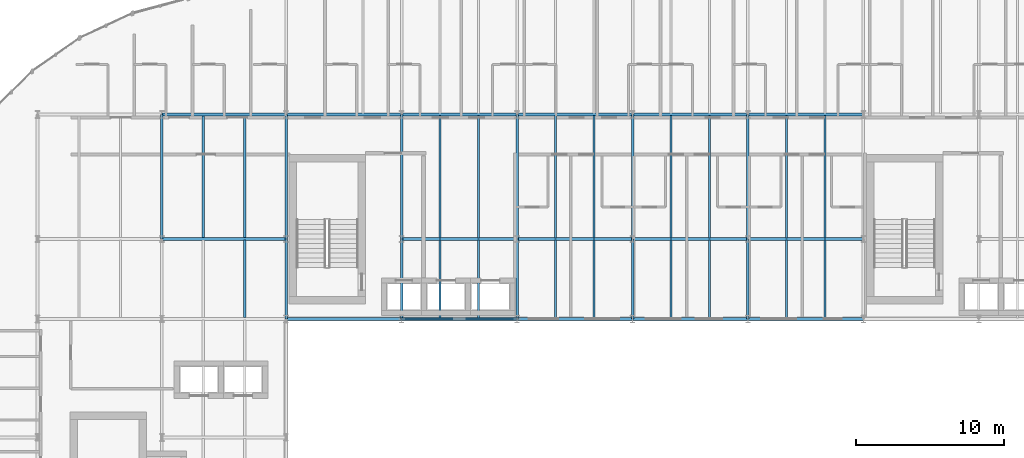
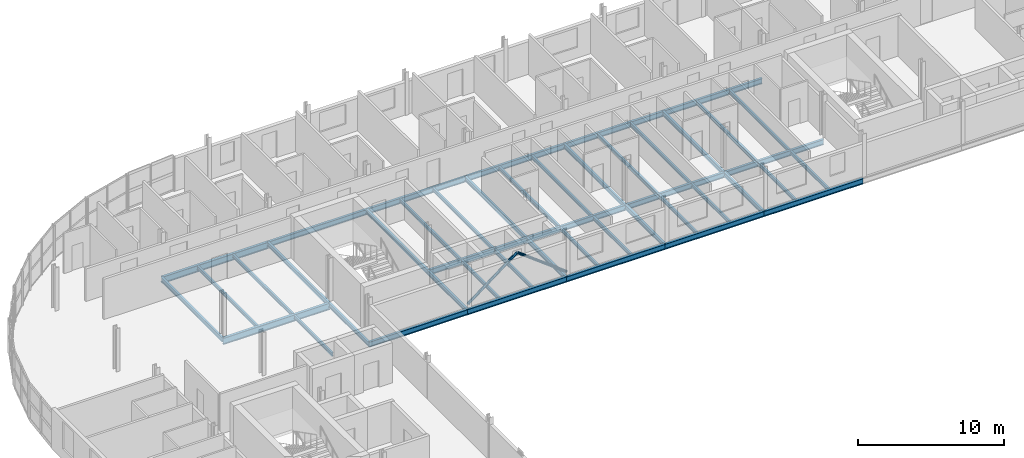
# One storey, part 9 of 34: 46 beams, 2 members.
"""IFC4 building model written with IfcOpenShell, lengths in metres."""

import ifcopenshell
import ifcopenshell.guid

model = None  # the IFC model being written
_history = None  # IfcOwnerHistory: only IFC2X3 demands one
_inside = {}  # id of a spatial element -> (the spatial element, [elements in it])
_under = {}  # id of a project, library or spatial element -> (it, [spatial elements below it])
_declared = {}  # id of a project -> (the project, [libraries it declares])
_typed = {}  # id of a type object -> (the type object, [elements of that type])
_made_of = {}  # id of a material, layer set ... -> (it, [elements and type objects made of it])


def new_model(schema):
    """Start an empty IFC model of exactly this schema.

    Asked for "IFC4X3", IfcOpenShell would pick the latest addendum, in which some entities
    have other attributes; the version numbers below select the first issue.
    IFC2X3 requires an IfcOwnerHistory on every rooted entity: one is made here for all.
    """
    global model, _history
    if schema == "IFC4X3":
        model = ifcopenshell.file(schema_version=(4, 3, 0, 0))
    else:
        model = ifcopenshell.file(schema=schema)
    _inside.clear()
    _under.clear()
    _declared.clear()
    _typed.clear()
    _made_of.clear()
    _history = None
    if model.schema == "IFC2X3":
        org = make("IfcOrganization", Name="unknown")
        user = make(
            "IfcPersonAndOrganization",
            ThePerson=make("IfcPerson", FamilyName="unknown"),
            TheOrganization=org,
        )
        app = make(
            "IfcApplication",
            ApplicationDeveloper=org,
            Version="unknown",
            ApplicationFullName="unknown",
            ApplicationIdentifier="unknown",
        )
        _history = make(
            "IfcOwnerHistory",
            OwningUser=user,
            OwningApplication=app,
            ChangeAction="ADDED",
            CreationDate=0,
        )
    return model


def make(cls, **values):
    """One entity of the class cls with the attributes given. An attribute that is None is left unset."""
    return model.create_entity(
        cls, **{name: value for name, value in values.items() if value is not None}
    )


def rooted(cls, **values):
    """An entity with a GlobalId (a new one), such as an element, a storey or a relation."""
    return make(cls, GlobalId=ifcopenshell.guid.new(), OwnerHistory=_history, **values)


def si_unit(unit_type, name, prefix=None):
    """IfcSIUnit, for example si_unit("LENGTHUNIT", "METRE", prefix="MILLI")."""
    return make("IfcSIUnit", UnitType=unit_type, Prefix=prefix, Name=name)


def assignment(units):
    """IfcUnitAssignment: the units of a project."""
    return None if units is None else make("IfcUnitAssignment", Units=units)


def point(xyz):
    """IfcCartesianPoint."""
    return None if xyz is None else make("IfcCartesianPoint", Coordinates=xyz)


def direction(xyz):
    """IfcDirection."""
    return None if xyz is None else make("IfcDirection", DirectionRatios=xyz)


def frame(location, z_axis=None, x_axis=None):
    """IfcAxis2Placement3D, a coordinate frame: its origin and axes. An axis left out is left unset."""
    return make(
        "IfcAxis2Placement3D",
        Location=point(location),
        Axis=direction(z_axis),
        RefDirection=direction(x_axis),
    )


def frame_2d(location, x_axis=None):
    """IfcAxis2Placement2D, a coordinate frame in the plane: its origin and x axis."""
    return make(
        "IfcAxis2Placement2D", Location=point(location), RefDirection=direction(x_axis)
    )


def origin():
    """The frame at (0, 0, 0) with its axes left unset."""
    return frame((0.0, 0.0, 0.0))


def origin_2d():
    """The frame at (0, 0) in the plane with its x axis left unset."""
    return frame_2d((0.0, 0.0))


def place(relative_to, where):
    """IfcLocalPlacement: puts the frame where relative to a parent placement (None: the world)."""
    return make(
        "IfcLocalPlacement", PlacementRelTo=relative_to, RelativePlacement=where
    )


def context(
    kind, dimensions, precision=None, world=None, true_north=None, identifier=None
):
    """IfcGeometricRepresentationContext, for example the 3D "Model" context."""
    return make(
        "IfcGeometricRepresentationContext",
        ContextIdentifier=identifier,
        ContextType=kind,
        CoordinateSpaceDimension=dimensions,
        Precision=precision,
        WorldCoordinateSystem=world,
        TrueNorth=true_north,
    )


def subcontext(parent, identifier, kind, view, scale=None):
    """IfcGeometricRepresentationSubContext, for example "Body" below "Model"."""
    return make(
        "IfcGeometricRepresentationSubContext",
        ContextIdentifier=identifier,
        ContextType=kind,
        ParentContext=parent,
        TargetScale=scale,
        TargetView=view,
    )


def project(units=None, contexts=None):
    """IfcProject with its units and contexts."""
    return rooted(
        "IfcProject",
        Name="project",
        RepresentationContexts=contexts,
        UnitsInContext=assignment(units),
    )


def spatial(cls, under=None, at=None, **own):
    """A site, building, storey or space (cls), placed at a placement, below another one or the project."""
    s = rooted(cls, ObjectPlacement=at, **own)
    if under is not None:
        _under.setdefault(under.id(), (under, []))[1].append(s)
    return s


def profile(cls, at=None, kind="AREA", **sizes):
    """A parametric profile (cls). Its sizes go by their IFC names, for example OverallWidth=200.0."""
    return make(cls, ProfileType=kind, Position=at, **sizes)


def hollow_circle(**sizes):
    """IfcCircleHollowProfileDef."""
    return profile("IfcCircleHollowProfileDef", **sizes)


def i_section(**sizes):
    """IfcIShapeProfileDef."""
    return profile("IfcIShapeProfileDef", **sizes)


def extrude(swept, where, along, depth):
    """IfcExtrudedAreaSolid: the profile swept, set in the frame where, extruded along a direction by depth."""
    return make(
        "IfcExtrudedAreaSolid",
        SweptArea=swept,
        Position=where,
        ExtrudedDirection=direction(along),
        Depth=depth,
    )


def shape(context_of_items, identifier, shape_type, items):
    """IfcShapeRepresentation: the items that make up one representation, for example the "Body"."""
    return make(
        "IfcShapeRepresentation",
        ContextOfItems=context_of_items,
        RepresentationIdentifier=identifier,
        RepresentationType=shape_type,
        Items=items,
    )


def material(Name=None, Category=None):
    """IfcMaterial."""
    return make("IfcMaterial", Name=Name, Category=Category)


def material_profile(
    of_material, cross_section, Name=None, Category=None, Priority=None
):
    """IfcMaterialProfile: a cross section and its material."""
    return make(
        "IfcMaterialProfile",
        Name=Name,
        Material=of_material,
        Profile=cross_section,
        Priority=Priority,
        Category=Category,
    )


def profile_set(profiles, Name=None, composite=None):
    """IfcMaterialProfileSet."""
    return make(
        "IfcMaterialProfileSet",
        Name=Name,
        MaterialProfiles=profiles,
        CompositeProfile=composite,
    )


def made_of(thing, what):
    """Note that an element or type object is made of a material, layer set ...; save() writes the relation."""
    if what is not None:
        _made_of.setdefault(what.id(), (what, []))[1].append(thing)
    return thing


def type_object(cls, material=None, **own):
    """A type object (cls), such as IfcWallType, which elements share."""
    return made_of(rooted(cls, **own), material)


def element(
    cls,
    number,
    at=None,
    inside=None,
    cuts=None,
    type_object=None,
    material=None,
    context=None,
    identifier="Body",
    shape_type=None,
    held_by="IfcProductDefinitionShape",
    body=None,
    shapes=None,
    **own,
):
    """One element of the class cls, such as IfcWall. Its Tag is "e" and its number.

    at: its placement. inside: the storey or other place that contains it. cuts: it is an
    opening in that element (IfcRelVoidsElement). A single representation is given by context,
    identifier, shape_type and body (its items); several are given by shapes. held_by: the class
    of the entity that holds the representations. save() writes the other relations.
    """
    e = rooted(cls, Tag="e%d" % number, ObjectPlacement=at, **own)
    if body is not None:
        shapes = [shape(context, identifier, shape_type, body)]
    if shapes is not None:
        e.Representation = make(held_by, Representations=shapes)
    if inside is not None:
        _inside.setdefault(inside.id(), (inside, []))[1].append(e)
    if cuts is not None:
        rooted(
            "IfcRelVoidsElement", RelatingBuildingElement=cuts, RelatedOpeningElement=e
        )
    if type_object is not None:
        _typed.setdefault(type_object.id(), (type_object, []))[1].append(e)
    return made_of(e, material)


def aggregate(whole, parts):
    """IfcRelAggregates: a whole, such as a stair, and the parts it consists of."""
    return rooted("IfcRelAggregates", RelatingObject=whole, RelatedObjects=parts)


def save(model, path):
    """Write the relations noted so far, then the file.

    IfcRelAggregates (storeys below a building ...), IfcRelContainedInSpatialStructure (elements
    in a storey), IfcRelDefinesByType, IfcRelAssociatesMaterial and IfcRelDeclares: one each for
    every whole, place, type object, material and project.
    """
    for whole, parts in _under.values():
        aggregate(whole, parts)
    for where, things in _inside.values():
        rooted(
            "IfcRelContainedInSpatialStructure",
            RelatedElements=things,
            RelatingStructure=where,
        )
    for kind, things in _typed.values():
        rooted("IfcRelDefinesByType", RelatedObjects=things, RelatingType=kind)
    for what, things in _made_of.values():
        rooted("IfcRelAssociatesMaterial", RelatedObjects=things, RelatingMaterial=what)
    for by, libraries in _declared.values():
        rooted("IfcRelDeclares", RelatingContext=by, RelatedDefinitions=libraries)
    model.write(path)


model = new_model("IFC4")

# Units and contexts
model_context = context("Model", 3, precision=1e-05, world=origin(), true_north=direction((0.0, 1.0)))
body_context = subcontext(model_context, "Body", "Model", "MODEL_VIEW")
ifc_project = project(units=[si_unit("LENGTHUNIT", "METRE"), si_unit("AREAUNIT", "SQUARE_METRE"), si_unit("VOLUMEUNIT", "CUBIC_METRE"), si_unit("PLANEANGLEUNIT", "RADIAN"), si_unit("MASSUNIT", "GRAM", prefix="KILO")], contexts=[model_context])

# Site, building, storey
site_placement = place(None, origin())
site = spatial("IfcSite", under=ifc_project, at=site_placement, CompositionType="ELEMENT")
building_placement = place(site_placement, origin())
building = spatial("IfcBuilding", under=site, at=building_placement, Name="Sefraquen Railside Congress Hotel", CompositionType="ELEMENT")
storey_placement = place(building_placement, frame((0.0, 0.0, 31.800048828125)))
storey = spatial("IfcBuildingStorey", under=building, at=storey_placement, Name="L07", CompositionType="ELEMENT", Elevation=31.800048828125)

# Beams
ifc_material_1 = material(Name="Steel S355JR", Category="steel")
ifc_material_profile_1 = material_profile(ifc_material_1, i_section(OverallWidth=0.169921875, OverallDepth=0.360107421875, WebThickness=0.008056640625, FlangeThickness=0.0126953125, FilletRadius=0.01806640625, at=origin_2d()), Name="IPE 360")
ifc_profile_set_1 = profile_set([ifc_material_profile_1], Name="Steel S355JR")
beam_type_1 = type_object("IfcBeamType", Name="TB-BM-360", PredefinedType="BEAM", material=ifc_profile_set_1)
beam_1_placement = place(storey_placement, frame((16.800048828125, 101.39990234375, -0.420166015625), z_axis=(0.0, 1.0, 0.0), x_axis=(-1.0, 0.0, 0.0)))
element("IfcBeam", 1, at=beam_1_placement, inside=storey, type_object=beam_type_1, Name="Floor beam BM-L07-1784", PredefinedType="BEAM", context=body_context, shape_type="SweptSolid", body=[
    extrude(i_section(OverallWidth=0.169921875, OverallDepth=0.360107421875, WebThickness=0.008056640625, FlangeThickness=0.0126953125, FilletRadius=0.01806640625, at=origin_2d()), origin(), (0.0, 0.0, 1.0), 8.400146484375),
])
beam_2_placement = place(storey_placement, frame((25.199951171875, 96.0, -0.420166015625), z_axis=(0.0, 1.0, 0.0), x_axis=(-1.0, 0.0, 0.0)))
element("IfcBeam", 2, at=beam_2_placement, inside=storey, type_object=beam_type_1, Name="Floor beam BM-L07-1789", PredefinedType="BEAM", context=body_context, shape_type="SweptSolid", body=[
    extrude(i_section(OverallWidth=0.169921875, OverallDepth=0.360107421875, WebThickness=0.008056640625, FlangeThickness=0.0126953125, FilletRadius=0.01806640625, at=origin_2d()), origin(), (0.0, 0.0, 1.0), 5.39990234375),
])
beam_3_placement = place(storey_placement, frame((25.199951171875, 101.39990234375, -0.420166015625), z_axis=(0.0, 1.0, 0.0), x_axis=(-1.0, 0.0, 0.0)))
element("IfcBeam", 3, at=beam_3_placement, inside=storey, type_object=beam_type_1, Name="Floor beam BM-L07-1790", PredefinedType="BEAM", context=body_context, shape_type="SweptSolid", body=[
    extrude(i_section(OverallWidth=0.169921875, OverallDepth=0.360107421875, WebThickness=0.008056640625, FlangeThickness=0.0126953125, FilletRadius=0.01806640625, at=origin_2d()), origin(), (0.0, 0.0, 1.0), 8.400146484375),
])
beam_4_placement = place(storey_placement, frame((33.0, 96.0, -0.420166015625), z_axis=(0.0, 1.0, 0.0), x_axis=(-1.0, 0.0, 0.0)))
element("IfcBeam", 4, at=beam_4_placement, inside=storey, type_object=beam_type_1, Name="Floor beam BM-L07-1792", PredefinedType="BEAM", context=body_context, shape_type="SweptSolid", body=[
    extrude(i_section(OverallWidth=0.169921875, OverallDepth=0.360107421875, WebThickness=0.008056640625, FlangeThickness=0.0126953125, FilletRadius=0.01806640625, at=origin_2d()), origin(), (0.0, 0.0, 1.0), 5.39990234375),
])
beam_5_placement = place(storey_placement, frame((33.0, 101.39990234375, -0.420166015625), z_axis=(0.0, 1.0, 0.0), x_axis=(-1.0, 0.0, 0.0)))
element("IfcBeam", 5, at=beam_5_placement, inside=storey, type_object=beam_type_1, Name="Floor beam BM-L07-1793", PredefinedType="BEAM", context=body_context, shape_type="SweptSolid", body=[
    extrude(i_section(OverallWidth=0.169921875, OverallDepth=0.360107421875, WebThickness=0.008056640625, FlangeThickness=0.0126953125, FilletRadius=0.01806640625, at=origin_2d()), origin(), (0.0, 0.0, 1.0), 8.400146484375),
])
beam_6_placement = place(storey_placement, frame((40.800048828125, 96.0, -0.420166015625), z_axis=(0.0, 1.0, 0.0), x_axis=(-1.0, 0.0, 0.0)))
element("IfcBeam", 6, at=beam_6_placement, inside=storey, type_object=beam_type_1, Name="Floor beam BM-L07-1795", PredefinedType="BEAM", context=body_context, shape_type="SweptSolid", body=[
    extrude(i_section(OverallWidth=0.169921875, OverallDepth=0.360107421875, WebThickness=0.008056640625, FlangeThickness=0.0126953125, FilletRadius=0.01806640625, at=origin_2d()), origin(), (0.0, 0.0, 1.0), 5.39990234375),
])
beam_7_placement = place(storey_placement, frame((40.800048828125, 101.39990234375, -0.420166015625), z_axis=(0.0, 1.0, 0.0), x_axis=(-1.0, 0.0, 0.0)))
element("IfcBeam", 7, at=beam_7_placement, inside=storey, type_object=beam_type_1, Name="Floor beam BM-L07-1796", PredefinedType="BEAM", context=body_context, shape_type="SweptSolid", body=[
    extrude(i_section(OverallWidth=0.169921875, OverallDepth=0.360107421875, WebThickness=0.008056640625, FlangeThickness=0.0126953125, FilletRadius=0.01806640625, at=origin_2d()), origin(), (0.0, 0.0, 1.0), 8.400146484375),
])
beam_8_placement = place(storey_placement, frame((48.60009765625, 96.0, -0.420166015625), z_axis=(0.0, 1.0, 0.0), x_axis=(-1.0, 0.0, 0.0)))
element("IfcBeam", 8, at=beam_8_placement, inside=storey, type_object=beam_type_1, Name="Floor beam BM-L07-1798", PredefinedType="BEAM", context=body_context, shape_type="SweptSolid", body=[
    extrude(i_section(OverallWidth=0.169921875, OverallDepth=0.360107421875, WebThickness=0.008056640625, FlangeThickness=0.0126953125, FilletRadius=0.01806640625, at=origin_2d()), origin(), (0.0, 0.0, 1.0), 5.39990234375),
])
beam_9_placement = place(storey_placement, frame((48.60009765625, 101.39990234375, -0.420166015625), z_axis=(0.0, 1.0, 0.0), x_axis=(-1.0, 0.0, 0.0)))
element("IfcBeam", 9, at=beam_9_placement, inside=storey, type_object=beam_type_1, Name="Floor beam BM-L07-1799", PredefinedType="BEAM", context=body_context, shape_type="SweptSolid", body=[
    extrude(i_section(OverallWidth=0.169921875, OverallDepth=0.360107421875, WebThickness=0.008056640625, FlangeThickness=0.0126953125, FilletRadius=0.01806640625, at=origin_2d()), origin(), (0.0, 0.0, 1.0), 8.400146484375),
])
beam_10_placement = place(storey_placement, frame((56.39990234375, 96.0, -0.420166015625), z_axis=(0.0, 1.0, 0.0), x_axis=(-1.0, 0.0, 0.0)))
element("IfcBeam", 10, at=beam_10_placement, inside=storey, type_object=beam_type_1, Name="Floor beam BM-L07-1801", PredefinedType="BEAM", context=body_context, shape_type="SweptSolid", body=[
    extrude(i_section(OverallWidth=0.169921875, OverallDepth=0.360107421875, WebThickness=0.008056640625, FlangeThickness=0.0126953125, FilletRadius=0.01806640625, at=origin_2d()), origin(), (0.0, 0.0, 1.0), 5.39990234375),
])
beam_11_placement = place(storey_placement, frame((56.39990234375, 101.39990234375, -0.420166015625), z_axis=(0.0, 1.0, 0.0), x_axis=(-1.0, 0.0, 0.0)))
element("IfcBeam", 11, at=beam_11_placement, inside=storey, type_object=beam_type_1, Name="Floor beam BM-L07-1802", PredefinedType="BEAM", context=body_context, shape_type="SweptSolid", body=[
    extrude(i_section(OverallWidth=0.169921875, OverallDepth=0.360107421875, WebThickness=0.008056640625, FlangeThickness=0.0126953125, FilletRadius=0.01806640625, at=origin_2d()), origin(), (0.0, 0.0, 1.0), 8.400146484375),
])
ifc_material_profile_2 = material_profile(ifc_material_1, i_section(OverallWidth=0.18994140625, OverallDepth=0.449951171875, WebThickness=0.009521484375, FlangeThickness=0.0146484375, FilletRadius=0.02099609375, at=origin_2d()), Name="IPE 450")
ifc_profile_set_2 = profile_set([ifc_material_profile_2], Name="Steel S355JR")
beam_type_2 = type_object("IfcBeamType", Name="TB-BM-450", PredefinedType="BEAM", material=ifc_profile_set_2)
for number, where, z_axis, x_axis, name in (
    (12, (25.199951171875, 96.0, -0.465087890625), (1.0, 0.0, 0.0), (0.0, 1.0, 0.0), "Primary girder BM-L07-1720"),
    (13, (33.0, 96.0, -0.465087890625), (1.0, 0.0, 0.0), (0.0, 1.0, 0.0), "Primary girder BM-L07-1721"),
    (14, (40.800048828125, 96.0, -0.465087890625), (1.0, 0.0, 0.0), (0.0, 1.0, 0.0), "Primary girder BM-L07-1722"),
):
    element("IfcBeam", number, at=place(storey_placement, frame(where, z_axis=z_axis, x_axis=x_axis)), inside=storey, type_object=beam_type_2, Name=name, PredefinedType="BEAM", context=body_context, shape_type="SweptSolid", body=[
        extrude(i_section(OverallWidth=0.18994140625, OverallDepth=0.449951171875, WebThickness=0.009521484375, FlangeThickness=0.0146484375, FilletRadius=0.02099609375, at=origin_2d()), origin(), (0.0, 0.0, 1.0), 7.800048828125),
    ])
beam_12_placement = place(storey_placement, frame((48.60009765625, 96.0, -0.465087890625), z_axis=(1.0, 0.0, 0.0), x_axis=(0.0, 1.0, 0.0)))
element("IfcBeam", 15, at=beam_12_placement, inside=storey, type_object=beam_type_2, Name="Primary girder BM-L07-1723", PredefinedType="BEAM", context=body_context, shape_type="SweptSolid", body=[
    extrude(i_section(OverallWidth=0.18994140625, OverallDepth=0.449951171875, WebThickness=0.009521484375, FlangeThickness=0.0146484375, FilletRadius=0.02099609375, at=origin_2d()), origin(), (0.0, 0.0, 1.0), 7.7998046875),
])
for number, where, z_axis, x_axis, name in (
    (16, (56.39990234375, 96.0, -0.465087890625), (1.0, 0.0, 0.0), (0.0, 1.0, 0.0), "Primary girder BM-L07-1724"),
    (17, (33.0, 101.39990234375, -0.465087890625), (1.0, 0.0, 0.0), (0.0, 1.0, 0.0), "Primary girder BM-L07-1734"),
    (18, (40.800048828125, 101.39990234375, -0.465087890625), (1.0, 0.0, 0.0), (0.0, 1.0, 0.0), "Primary girder BM-L07-1735"),
):
    element("IfcBeam", number, at=place(storey_placement, frame(where, z_axis=z_axis, x_axis=x_axis)), inside=storey, type_object=beam_type_2, Name=name, PredefinedType="BEAM", context=body_context, shape_type="SweptSolid", body=[
        extrude(i_section(OverallWidth=0.18994140625, OverallDepth=0.449951171875, WebThickness=0.009521484375, FlangeThickness=0.0146484375, FilletRadius=0.02099609375, at=origin_2d()), origin(), (0.0, 0.0, 1.0), 7.800048828125),
    ])
beam_13_placement = place(storey_placement, frame((48.60009765625, 101.39990234375, -0.465087890625), z_axis=(1.0, 0.0, 0.0), x_axis=(0.0, 1.0, 0.0)))
element("IfcBeam", 19, at=beam_13_placement, inside=storey, type_object=beam_type_2, Name="Primary girder BM-L07-1736", PredefinedType="BEAM", context=body_context, shape_type="SweptSolid", body=[
    extrude(i_section(OverallWidth=0.18994140625, OverallDepth=0.449951171875, WebThickness=0.009521484375, FlangeThickness=0.0146484375, FilletRadius=0.02099609375, at=origin_2d()), origin(), (0.0, 0.0, 1.0), 7.7998046875),
])
for number, where, z_axis, x_axis, name in (
    (20, (56.39990234375, 101.39990234375, -0.465087890625), (1.0, 0.0, 0.0), (0.0, 1.0, 0.0), "Primary girder BM-L07-1737"),
    (21, (25.199951171875, 109.800048828125, -0.465087890625), (1.0, 0.0, 0.0), (0.0, 1.0, 0.0), "Primary girder BM-L07-1746"),
    (22, (33.0, 109.800048828125, -0.465087890625), (1.0, 0.0, 0.0), (0.0, 1.0, 0.0), "Primary girder BM-L07-1747"),
    (23, (40.800048828125, 109.800048828125, -0.465087890625), (1.0, 0.0, 0.0), (0.0, 1.0, 0.0), "Primary girder BM-L07-1748"),
):
    element("IfcBeam", number, at=place(storey_placement, frame(where, z_axis=z_axis, x_axis=x_axis)), inside=storey, type_object=beam_type_2, Name=name, PredefinedType="BEAM", context=body_context, shape_type="SweptSolid", body=[
        extrude(i_section(OverallWidth=0.18994140625, OverallDepth=0.449951171875, WebThickness=0.009521484375, FlangeThickness=0.0146484375, FilletRadius=0.02099609375, at=origin_2d()), origin(), (0.0, 0.0, 1.0), 7.800048828125),
    ])
beam_14_placement = place(storey_placement, frame((48.60009765625, 109.800048828125, -0.465087890625), z_axis=(1.0, 0.0, 0.0), x_axis=(0.0, 1.0, 0.0)))
element("IfcBeam", 24, at=beam_14_placement, inside=storey, type_object=beam_type_2, Name="Primary girder BM-L07-1749", PredefinedType="BEAM", context=body_context, shape_type="SweptSolid", body=[
    extrude(i_section(OverallWidth=0.18994140625, OverallDepth=0.449951171875, WebThickness=0.009521484375, FlangeThickness=0.0146484375, FilletRadius=0.02099609375, at=origin_2d()), origin(), (0.0, 0.0, 1.0), 7.7998046875),
])
beam_15_placement = place(storey_placement, frame((56.39990234375, 109.800048828125, -0.465087890625), z_axis=(1.0, 0.0, 0.0), x_axis=(0.0, 1.0, 0.0)))
element("IfcBeam", 25, at=beam_15_placement, inside=storey, type_object=beam_type_2, Name="Primary girder BM-L07-1750", PredefinedType="BEAM", context=body_context, shape_type="SweptSolid", body=[
    extrude(i_section(OverallWidth=0.18994140625, OverallDepth=0.449951171875, WebThickness=0.009521484375, FlangeThickness=0.0146484375, FilletRadius=0.02099609375, at=origin_2d()), origin(), (0.0, 0.0, 1.0), 7.800048828125),
])
ifc_material_profile_3 = material_profile(ifc_material_1, i_section(OverallWidth=0.2099609375, OverallDepth=0.550048828125, WebThickness=0.010986328125, FlangeThickness=0.01708984375, FilletRadius=0.02392578125, at=origin_2d()), Name="IPE 550")
ifc_profile_set_3 = profile_set([ifc_material_profile_3], Name="Steel S355JR")
beam_type_3 = type_object("IfcBeamType", Name="TB-GIR-550", PredefinedType="T_BEAM", material=ifc_profile_set_3)
for number, where, z_axis, x_axis, name in (
    (26, (16.800048828125, 101.39990234375, -0.51513671875), (1.0, 0.0, 0.0), (0.0, 1.0, 0.0), "Primary girder BM-L07-1733"),
    (27, (16.800048828125, 109.800048828125, -0.51513671875), (1.0, 0.0, 0.0), (0.0, 1.0, 0.0), "Primary girder BM-L07-1745"),
):
    element("IfcBeam", number, at=place(storey_placement, frame(where, z_axis=z_axis, x_axis=x_axis)), inside=storey, type_object=beam_type_3, Name=name, PredefinedType="T_BEAM", context=body_context, shape_type="SweptSolid", body=[
        extrude(i_section(OverallWidth=0.2099609375, OverallDepth=0.550048828125, WebThickness=0.010986328125, FlangeThickness=0.01708984375, FilletRadius=0.02392578125, at=origin_2d()), origin(), (0.0, 0.0, 1.0), 8.39990234375),
    ])
ifc_material_profile_4 = material_profile(ifc_material_1, i_section(OverallWidth=0.14990234375, OverallDepth=0.300048828125, WebThickness=0.007080078125, FlangeThickness=0.0107421875, FilletRadius=0.014892578125, at=origin_2d()), Name="IPE 300")
ifc_profile_set_4 = profile_set([ifc_material_profile_4], Name="Steel S355JR")
beam_type_4 = type_object("IfcBeamType", Name="TB-JST-300", PredefinedType="JOIST", material=ifc_profile_set_4)
beam_16_placement = place(storey_placement, frame((22.39990234375, 96.0849609375, -0.39013671875), z_axis=(0.0, 1.0, 0.0), x_axis=(-1.0, 0.0, 0.0)))
element("IfcBeam", 28, at=beam_16_placement, inside=storey, type_object=beam_type_4, Name="Composite floor joist BM-L07-J1167", PredefinedType="JOIST", context=body_context, shape_type="SweptSolid", body=[
    extrude(i_section(OverallWidth=0.14990234375, OverallDepth=0.300048828125, WebThickness=0.007080078125, FlangeThickness=0.0107421875, FilletRadius=0.014892578125, at=origin_2d()), origin(), (0.0, 0.0, 1.0), 5.22998046875),
])
for number, where, z_axis, x_axis, name in (
    (29, (19.60009765625, 101.485107421875, -0.39013671875), (0.0, 1.0, 0.0), (-1.0, 0.0, 0.0), "Composite floor joist BM-L07-J1168"),
    (30, (22.39990234375, 101.485107421875, -0.39013671875), (0.0, 1.0, 0.0), (-1.0, 0.0, 0.0), "Composite floor joist BM-L07-J1169"),
):
    element("IfcBeam", number, at=place(storey_placement, frame(where, z_axis=z_axis, x_axis=x_axis)), inside=storey, type_object=beam_type_4, Name=name, PredefinedType="JOIST", context=body_context, shape_type="SweptSolid", body=[
        extrude(i_section(OverallWidth=0.14990234375, OverallDepth=0.300048828125, WebThickness=0.007080078125, FlangeThickness=0.0107421875, FilletRadius=0.014892578125, at=origin_2d()), origin(), (0.0, 0.0, 1.0), 8.22998046875),
    ])
for number, where, z_axis, x_axis, name in (
    (31, (35.60009765625, 96.074951171875, -0.39013671875), (0.0, 1.0, 0.0), (-1.0, 0.0, 0.0), "Composite floor joist BM-L07-J1172"),
    (32, (38.199951171875, 96.074951171875, -0.39013671875), (0.0, 1.0, 0.0), (-1.0, 0.0, 0.0), "Composite floor joist BM-L07-J1173"),
):
    element("IfcBeam", number, at=place(storey_placement, frame(where, z_axis=z_axis, x_axis=x_axis)), inside=storey, type_object=beam_type_4, Name=name, PredefinedType="JOIST", context=body_context, shape_type="SweptSolid", body=[
        extrude(i_section(OverallWidth=0.14990234375, OverallDepth=0.300048828125, WebThickness=0.007080078125, FlangeThickness=0.0107421875, FilletRadius=0.014892578125, at=origin_2d()), origin(), (0.0, 0.0, 1.0), 5.25),
    ])
for number, where, z_axis, x_axis, name in (
    (33, (35.60009765625, 101.47509765625, -0.39013671875), (0.0, 1.0, 0.0), (-1.0, 0.0, 0.0), "Composite floor joist BM-L07-J1174"),
    (34, (38.199951171875, 101.47509765625, -0.39013671875), (0.0, 1.0, 0.0), (-1.0, 0.0, 0.0), "Composite floor joist BM-L07-J1175"),
):
    element("IfcBeam", number, at=place(storey_placement, frame(where, z_axis=z_axis, x_axis=x_axis)), inside=storey, type_object=beam_type_4, Name=name, PredefinedType="JOIST", context=body_context, shape_type="SweptSolid", body=[
        extrude(i_section(OverallWidth=0.14990234375, OverallDepth=0.300048828125, WebThickness=0.007080078125, FlangeThickness=0.0107421875, FilletRadius=0.014892578125, at=origin_2d()), origin(), (0.0, 0.0, 1.0), 8.25),
    ])
for number, where, z_axis, x_axis, name in (
    (35, (43.39990234375, 96.074951171875, -0.39013671875), (0.0, 1.0, 0.0), (-1.0, 0.0, 0.0), "Composite floor joist BM-L07-J1178"),
    (36, (46.0, 96.074951171875, -0.39013671875), (0.0, 1.0, 0.0), (-1.0, 0.0, 0.0), "Composite floor joist BM-L07-J1179"),
):
    element("IfcBeam", number, at=place(storey_placement, frame(where, z_axis=z_axis, x_axis=x_axis)), inside=storey, type_object=beam_type_4, Name=name, PredefinedType="JOIST", context=body_context, shape_type="SweptSolid", body=[
        extrude(i_section(OverallWidth=0.14990234375, OverallDepth=0.300048828125, WebThickness=0.007080078125, FlangeThickness=0.0107421875, FilletRadius=0.014892578125, at=origin_2d()), origin(), (0.0, 0.0, 1.0), 5.25),
    ])
for number, where, z_axis, x_axis, name in (
    (37, (43.39990234375, 101.47509765625, -0.39013671875), (0.0, 1.0, 0.0), (-1.0, 0.0, 0.0), "Composite floor joist BM-L07-J1180"),
    (38, (46.0, 101.47509765625, -0.39013671875), (0.0, 1.0, 0.0), (-1.0, 0.0, 0.0), "Composite floor joist BM-L07-J1181"),
):
    element("IfcBeam", number, at=place(storey_placement, frame(where, z_axis=z_axis, x_axis=x_axis)), inside=storey, type_object=beam_type_4, Name=name, PredefinedType="JOIST", context=body_context, shape_type="SweptSolid", body=[
        extrude(i_section(OverallWidth=0.14990234375, OverallDepth=0.300048828125, WebThickness=0.007080078125, FlangeThickness=0.0107421875, FilletRadius=0.014892578125, at=origin_2d()), origin(), (0.0, 0.0, 1.0), 8.25),
    ])
for number, where, z_axis, x_axis, name in (
    (39, (51.199951171875, 96.074951171875, -0.39013671875), (0.0, 1.0, 0.0), (-1.0, 0.0, 0.0), "Composite floor joist BM-L07-J1184"),
    (40, (53.800048828125, 96.074951171875, -0.39013671875), (0.0, 1.0, 0.0), (-1.0, 0.0, 0.0), "Composite floor joist BM-L07-J1185"),
):
    element("IfcBeam", number, at=place(storey_placement, frame(where, z_axis=z_axis, x_axis=x_axis)), inside=storey, type_object=beam_type_4, Name=name, PredefinedType="JOIST", context=body_context, shape_type="SweptSolid", body=[
        extrude(i_section(OverallWidth=0.14990234375, OverallDepth=0.300048828125, WebThickness=0.007080078125, FlangeThickness=0.0107421875, FilletRadius=0.014892578125, at=origin_2d()), origin(), (0.0, 0.0, 1.0), 5.25),
    ])
for number, where, z_axis, x_axis, name in (
    (41, (51.199951171875, 101.47509765625, -0.39013671875), (0.0, 1.0, 0.0), (-1.0, 0.0, 0.0), "Composite floor joist BM-L07-J1186"),
    (42, (53.800048828125, 101.47509765625, -0.39013671875), (0.0, 1.0, 0.0), (-1.0, 0.0, 0.0), "Composite floor joist BM-L07-J1187"),
):
    element("IfcBeam", number, at=place(storey_placement, frame(where, z_axis=z_axis, x_axis=x_axis)), inside=storey, type_object=beam_type_4, Name=name, PredefinedType="JOIST", context=body_context, shape_type="SweptSolid", body=[
        extrude(i_section(OverallWidth=0.14990234375, OverallDepth=0.300048828125, WebThickness=0.007080078125, FlangeThickness=0.0107421875, FilletRadius=0.014892578125, at=origin_2d()), origin(), (0.0, 0.0, 1.0), 8.25),
    ])
for number, where, z_axis, x_axis, name in (
    (43, (59.0, 96.074951171875, -0.39013671875), (0.0, 1.0, 0.0), (-1.0, 0.0, 0.0), "Composite floor joist BM-L07-J1190"),
    (44, (61.60009765625, 96.074951171875, -0.39013671875), (0.0, 1.0, 0.0), (-1.0, 0.0, 0.0), "Composite floor joist BM-L07-J1191"),
):
    element("IfcBeam", number, at=place(storey_placement, frame(where, z_axis=z_axis, x_axis=x_axis)), inside=storey, type_object=beam_type_4, Name=name, PredefinedType="JOIST", context=body_context, shape_type="SweptSolid", body=[
        extrude(i_section(OverallWidth=0.14990234375, OverallDepth=0.300048828125, WebThickness=0.007080078125, FlangeThickness=0.0107421875, FilletRadius=0.014892578125, at=origin_2d()), origin(), (0.0, 0.0, 1.0), 5.25),
    ])
for number, where, z_axis, x_axis, name in (
    (45, (59.0, 101.47509765625, -0.39013671875), (0.0, 1.0, 0.0), (-1.0, 0.0, 0.0), "Composite floor joist BM-L07-J1192"),
    (46, (61.60009765625, 101.47509765625, -0.39013671875), (0.0, 1.0, 0.0), (-1.0, 0.0, 0.0), "Composite floor joist BM-L07-J1193"),
):
    element("IfcBeam", number, at=place(storey_placement, frame(where, z_axis=z_axis, x_axis=x_axis)), inside=storey, type_object=beam_type_4, Name=name, PredefinedType="JOIST", context=body_context, shape_type="SweptSolid", body=[
        extrude(i_section(OverallWidth=0.14990234375, OverallDepth=0.300048828125, WebThickness=0.007080078125, FlangeThickness=0.0107421875, FilletRadius=0.014892578125, at=origin_2d()), origin(), (0.0, 0.0, 1.0), 8.25),
    ])

# Members
ifc_material_2 = material(Name="Steel S355J2", Category="steel")
ifc_material_profile_5 = material_profile(ifc_material_2, hollow_circle(Radius=0.109619140625, WallThickness=0.010009765625, at=origin_2d()), Name="CHS 219.1x10")
ifc_profile_set_5 = profile_set([ifc_material_profile_5], Name="Steel S355J2")
member_type = type_object("IfcMemberType", Name="TM-BR-219", PredefinedType="BRACE", material=ifc_profile_set_5)
member_1_placement = place(storey_placement, frame((33.0, 96.0, 0.14990234375), z_axis=(0.796552153169, 0.0, 0.604569820022), x_axis=(0.0, 1.0, 0.0)))
element("IfcMember", 47, at=member_1_placement, inside=storey, type_object=member_type, Name="Chevron braced-frame diagonal BF1-L L07", PredefinedType="BRACE", context=body_context, shape_type="SweptSolid", body=[
    extrude(hollow_circle(Radius=0.109619140625, WallThickness=0.010009765625, at=origin_2d()), origin(), (0.0, 0.0, 1.0), 4.89599609375),
])
member_2_placement = place(storey_placement, frame((40.800048828125, 96.0, 0.14990234375), z_axis=(-0.796570378172, 0.0, 0.604545806883), x_axis=(0.0, -1.0, 0.0)))
element("IfcMember", 48, at=member_2_placement, inside=storey, type_object=member_type, Name="Chevron braced-frame diagonal BF1-R L07", PredefinedType="BRACE", context=body_context, shape_type="SweptSolid", body=[
    extrude(hollow_circle(Radius=0.109619140625, WallThickness=0.010009765625, at=origin_2d()), origin(), (0.0, 0.0, 1.0), 4.896240234375),
])

save(model, "model.ifc")
